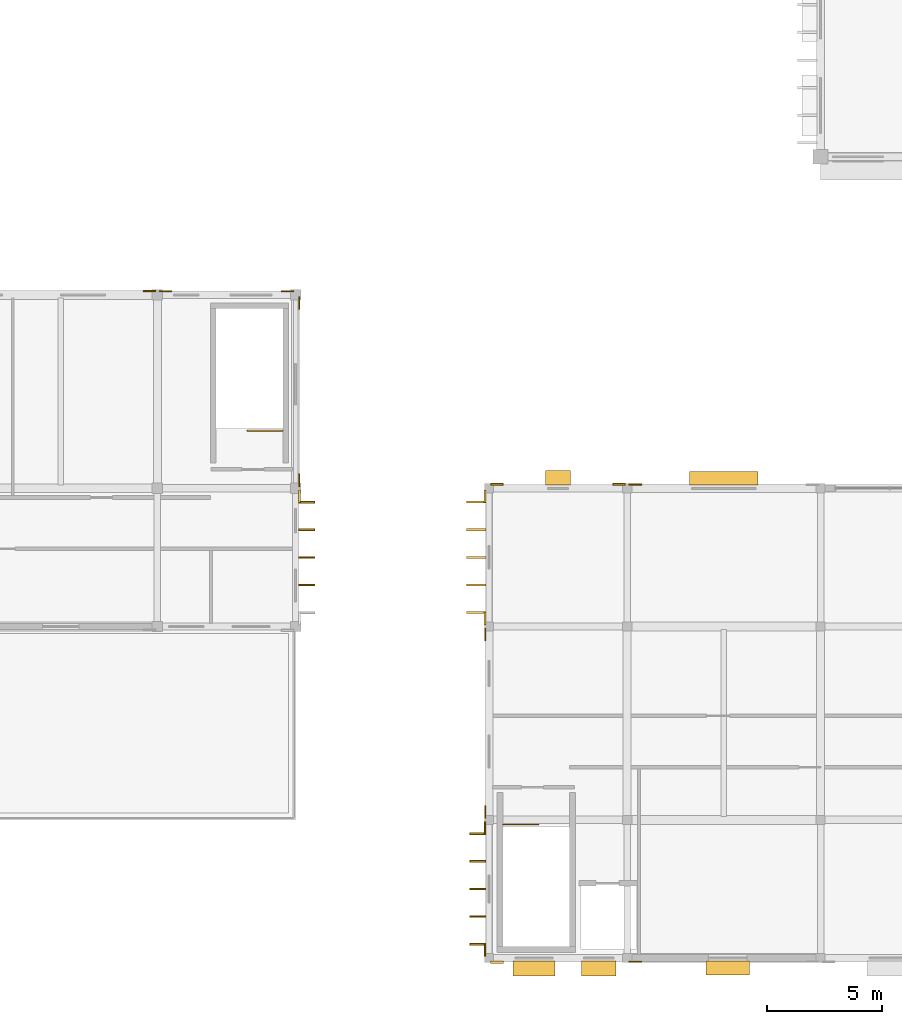
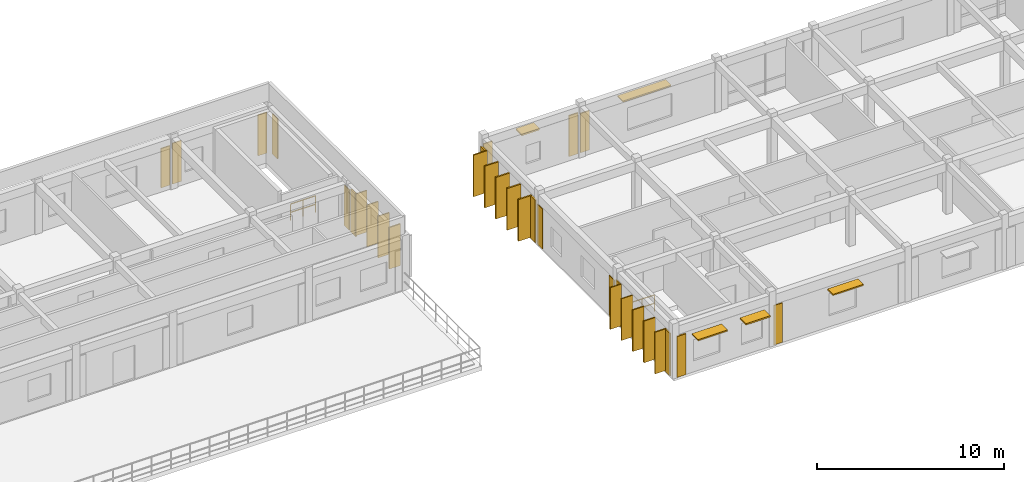
# One storey, part 75 of 88: 19 shading devices, 17 coverings, 2 railings.
"""IFC4 building model written with IfcOpenShell, lengths in metres."""

from ifc_helpers import new_model, si_unit, direction, frame, origin, origin_2d, place, context, subcontext, project, spatial, rectangle, extrude, material, layer, layer_set, type_object, element, save


model = new_model("IFC4")

# Units and contexts
model_context = context("Model", 3, precision=1e-05, world=origin(), true_north=direction((0.0, 1.0)))
body_context = subcontext(model_context, "Body", "Model", "MODEL_VIEW")
ifc_project = project(units=[si_unit("LENGTHUNIT", "METRE"), si_unit("AREAUNIT", "SQUARE_METRE"), si_unit("VOLUMEUNIT", "CUBIC_METRE"), si_unit("PLANEANGLEUNIT", "RADIAN"), si_unit("MASSUNIT", "GRAM", prefix="KILO"), si_unit("THERMODYNAMICTEMPERATUREUNIT", "KELVIN")], contexts=[model_context])

# Site, building, storey
site_placement = place(None, origin())
site = spatial("IfcSite", under=ifc_project, at=site_placement, CompositionType="ELEMENT")
building_placement = place(site_placement, origin())
building = spatial("IfcBuilding", under=site, at=building_placement, Name="Thalorik Housing Commons", CompositionType="ELEMENT")
storey_placement = place(building_placement, frame((0.0, 0.0, 4.5)))
storey = spatial("IfcBuildingStorey", under=building, at=storey_placement, Name="L01", CompositionType="ELEMENT", Elevation=4.5)

# Coverings
ifc_material_1 = material(Name="Cobalt blue glazed ceramic facade tile panel", Category="masonry")
ifc_layer_1 = layer(ifc_material_1, 0.06005859375, Name="Cobalt blue glazed ceramic facade tile panel", Category="masonry")
ifc_layer_set_1 = layer_set([ifc_layer_1], Name="Cobalt blue glazed ceramic facade tile panel")
covering_type_1 = type_object("IfcCoveringType", Name="ARC-CLD-BLU-60", PredefinedType="CLADDING", material=ifc_layer_set_1)
for number, where, z_axis, x_axis, name in (
    (1, (123.43310546875, 14.050048828125, 0.050048828125), (0.0, 0.0, 1.0), (0.0, -1.0, 0.0), "L01 Architectural Facade Cladding 5251"),
    (2, (123.43310546875, 8.75, 0.050048828125), (0.0, 0.0, 1.0), (0.0, -1.0, 0.0), "L01 Architectural Facade Cladding 5252"),
):
    element("IfcCovering", number, at=place(storey_placement, frame(where, z_axis=z_axis, x_axis=x_axis)), inside=storey, type_object=covering_type_1, Name=name, PredefinedType="CLADDING", context=body_context, shape_type="SweptSolid", body=[
        extrude(rectangle(XDim=0.550048828125, YDim=0.06005859375, at=origin_2d()), origin(), (0.0, 0.0, 1.0), 2.77490234375),
    ])
for number, where, z_axis, x_axis, name in (
    (3, (114.85009765625, 37.359619140625, 0.0498046875), (0.0, 0.0, 1.0), (-1.0, 0.0, 0.0), "L01 Architectural Facade Cladding 5301"),
    (4, (109.550048828125, 37.359619140625, 0.0498046875), (0.0, 0.0, 1.0), (-1.0, 0.0, 0.0), "L01 Architectural Facade Cladding 5302"),
):
    element("IfcCovering", number, at=place(storey_placement, frame(where, z_axis=z_axis, x_axis=x_axis)), inside=storey, type_object=covering_type_1, Name=name, PredefinedType="CLADDING", context=body_context, shape_type="SweptSolid", body=[
        extrude(rectangle(XDim=0.550048828125, YDim=0.06005859375, at=origin_2d()), origin(), (0.0, 0.0, 1.0), 2.675048828125),
    ])
ifc_material_2 = material(Name="Precast concrete C40/50", Category="concrete")
ifc_layer_2 = layer(ifc_material_2, 0.074951171875, Name="Precast concrete C40/50", Category="concrete")
ifc_layer_set_2 = layer_set([ifc_layer_2], Name="Precast concrete C40/50")
covering_type_2 = type_object("IfcCoveringType", Name="ARC-CLD-PIER-75", PredefinedType="CLADDING", material=ifc_layer_set_2)
for number, where, z_axis, x_axis, name in (
    (5, (129.25, 28.974609375, 0.0498046875), (0.0, 0.0, 1.0), (-1.0, 0.0, 0.0), "L01 Architectural Facade Cladding 5245"),
    (6, (123.949951171875, 28.974609375, 0.0498046875), (0.0, 0.0, 1.0), (-1.0, 0.0, 0.0), "L01 Architectural Facade Cladding 5246"),
):
    element("IfcCovering", number, at=place(storey_placement, frame(where, z_axis=z_axis, x_axis=x_axis)), inside=storey, type_object=covering_type_2, Name=name, PredefinedType="CLADDING", context=body_context, shape_type="SweptSolid", body=[
        extrude(rectangle(XDim=0.550048828125, YDim=0.074951171875, at=origin_2d()), origin(), (0.0, 0.0, 1.0), 2.675048828125),
    ])
ifc_layer_3 = layer(ifc_material_2, 0.090087890625, Name="Precast concrete C40/50", Category="concrete")
ifc_layer_set_3 = layer_set([ifc_layer_3], Name="Precast concrete C40/50")
covering_type_3 = type_object("IfcCoveringType", Name="ARC-CLD-PIER-90", PredefinedType="CLADDING", material=ifc_layer_set_3)
covering_1_placement = place(storey_placement, frame((123.949951171875, 8.218017578125, 0.0498046875), z_axis=(0.0, 0.0, 1.0), x_axis=(1.0, 0.0, 0.0)))
element("IfcCovering", 7, at=covering_1_placement, inside=storey, type_object=covering_type_3, Name="L01 Architectural Facade Cladding 5223", PredefinedType="CLADDING", context=body_context, shape_type="SweptSolid", body=[
    extrude(rectangle(XDim=0.550048828125, YDim=0.090087890625, at=origin_2d()), origin(), (0.0, 0.0, 1.0), 2.675048828125),
])
for number, where, z_axis, x_axis, name in (
    (8, (123.41796875, 28.449951171875, 0.050048828125), (0.0, 0.0, 1.0), (0.0, -1.0, 0.0), "L01 Architectural Facade Cladding 5247"),
    (9, (123.41796875, 23.14990234375, 0.050048828125), (0.0, 0.0, 1.0), (0.0, -1.0, 0.0), "L01 Architectural Facade Cladding 5248"),
    (10, (115.37451171875, 28.449951171875, 0.050048828125), (0.0, 0.0, 1.0), (0.0, 1.0, 0.0), "L01 Architectural Facade Cladding 5298"),
):
    element("IfcCovering", number, at=place(storey_placement, frame(where, z_axis=z_axis, x_axis=x_axis)), inside=storey, type_object=covering_type_3, Name=name, PredefinedType="CLADDING", context=body_context, shape_type="SweptSolid", body=[
        extrude(rectangle(XDim=0.550048828125, YDim=0.090087890625, at=origin_2d()), origin(), (0.0, 0.0, 1.0), 2.77490234375),
    ])
ifc_material_3 = material(Name="Terracotta red mineral fibre-cement panel", Category="masonry")
ifc_layer_4 = layer(ifc_material_3, 0.054931640625, Name="Terracotta red mineral fibre-cement panel", Category="masonry")
ifc_layer_set_4 = layer_set([ifc_layer_4], Name="Terracotta red mineral fibre-cement panel")
covering_type_4 = type_object("IfcCoveringType", Name="ARC-CLD-RED-55", PredefinedType="CLADDING", material=ifc_layer_set_4)
covering_2_placement = place(storey_placement, frame((129.949951171875, 8.235595703125, 0.0498046875), z_axis=(0.0, 0.0, 1.0), x_axis=(1.0, 0.0, 0.0)))
element("IfcCovering", 11, at=covering_2_placement, inside=storey, type_object=covering_type_4, Name="L01 Architectural Facade Cladding 5224", PredefinedType="CLADDING", context=body_context, shape_type="SweptSolid", body=[
    extrude(rectangle(XDim=0.550048828125, YDim=0.054931640625, at=origin_2d()), origin(), (0.0, 0.0, 1.0), 2.574951171875),
])
for number, where, z_axis, x_axis, name in (
    (12, (123.435546875, 22.449951171875, 0.050048828125), (0.0, 0.0, 1.0), (0.0, -1.0, 0.0), "L01 Architectural Facade Cladding 5249"),
    (13, (123.435546875, 14.75, 0.050048828125), (0.0, 0.0, 1.0), (0.0, -1.0, 0.0), "L01 Architectural Facade Cladding 5250"),
    (14, (115.35693359375, 29.14990234375, 0.050048828125), (0.0, 0.0, 1.0), (0.0, 1.0, 0.0), "L01 Architectural Facade Cladding 5299"),
    (15, (115.35693359375, 36.85009765625, 0.050048828125), (0.0, 0.0, 1.0), (0.0, 1.0, 0.0), "L01 Architectural Facade Cladding 5300"),
):
    element("IfcCovering", number, at=place(storey_placement, frame(where, z_axis=z_axis, x_axis=x_axis)), inside=storey, type_object=covering_type_4, Name=name, PredefinedType="CLADDING", context=body_context, shape_type="SweptSolid", body=[
        extrude(rectangle(XDim=0.550048828125, YDim=0.054931640625, at=origin_2d()), origin(), (0.0, 0.0, 1.0), 2.625),
    ])
ifc_material_4 = material(Name="Mineral ochre architectural terracotta panel", Category="masonry")
ifc_layer_5 = layer(ifc_material_4, 0.06494140625, Name="Mineral ochre architectural terracotta panel", Category="masonry")
ifc_layer_set_5 = layer_set([ifc_layer_5], Name="Mineral ochre architectural terracotta panel")
covering_type_5 = type_object("IfcCoveringType", Name="ARC-CLD-YEL-65", PredefinedType="CLADDING", material=ifc_layer_set_5)
for number, where, z_axis, x_axis, name in (
    (16, (129.949951171875, 28.969482421875, 0.0498046875), (0.0, 0.0, 1.0), (-1.0, 0.0, 0.0), "L01 Architectural Facade Cladding 5244"),
    (17, (108.85009765625, 37.362060546875, 0.0498046875), (0.0, 0.0, 1.0), (-1.0, 0.0, 0.0), "L01 Architectural Facade Cladding 5303"),
):
    element("IfcCovering", number, at=place(storey_placement, frame(where, z_axis=z_axis, x_axis=x_axis)), inside=storey, type_object=covering_type_5, Name=name, PredefinedType="CLADDING", context=body_context, shape_type="SweptSolid", body=[
        extrude(rectangle(XDim=0.550048828125, YDim=0.06494140625, at=origin_2d()), origin(), (0.0, 0.0, 1.0), 2.574951171875),
    ])

# Shading devices
shading_device_type_1 = type_object("IfcShadingDeviceType", Name="ARC-FIN-PC-850A", PredefinedType="USERDEFINED", material=ifc_material_2)
for number, where, z_axis, x_axis, name in (
    (18, (123.0400390625, 28.199951171875, 0.119873046875), (0.0, 0.0, 1.0), (0.0, -1.0, 0.0), "L01 Vertical Precast Solar Fin 148"),
    (19, (123.0400390625, 27.0, 0.119873046875), (0.0, 0.0, 1.0), (0.0, -1.0, 0.0), "L01 Vertical Precast Solar Fin 149"),
    (20, (123.0400390625, 25.800048828125, 0.119873046875), (0.0, 0.0, 1.0), (0.0, -1.0, 0.0), "L01 Vertical Precast Solar Fin 150"),
    (21, (123.0400390625, 24.60009765625, 0.119873046875), (0.0, 0.0, 1.0), (0.0, -1.0, 0.0), "L01 Vertical Precast Solar Fin 151"),
    (22, (123.0400390625, 23.39990234375, 0.119873046875), (0.0, 0.0, 1.0), (0.0, -1.0, 0.0), "L01 Vertical Precast Solar Fin 152"),
):
    element("IfcShadingDevice", number, at=place(storey_placement, frame(where, z_axis=z_axis, x_axis=x_axis)), inside=storey, type_object=shading_device_type_1, Name=name, ObjectType="FIN", PredefinedType="USERDEFINED", context=body_context, shape_type="SweptSolid", body=[
        extrude(rectangle(XDim=0.090087890625, YDim=0.85009765625, at=origin_2d()), origin(), (0.0, 0.0, 1.0), 2.72509765625),
    ])
ifc_material_5 = material(Name="Oxide red precast concrete C40/50", Category="concrete")
shading_device_type_2 = type_object("IfcShadingDeviceType", Name="ARC-FIN-RED-700", PredefinedType="USERDEFINED", material=ifc_material_5)
for number, where, z_axis, x_axis, name in (
    (23, (123.114990234375, 13.800048828125, 0.119873046875), (0.0, 0.0, 1.0), (0.0, -1.0, 0.0), "L01 Vertical Precast Solar Fin 153"),
    (24, (123.114990234375, 12.60009765625, 0.119873046875), (0.0, 0.0, 1.0), (0.0, -1.0, 0.0), "L01 Vertical Precast Solar Fin 154"),
    (25, (123.114990234375, 11.39990234375, 0.119873046875), (0.0, 0.0, 1.0), (0.0, -1.0, 0.0), "L01 Vertical Precast Solar Fin 155"),
    (26, (123.114990234375, 10.199951171875, 0.119873046875), (0.0, 0.0, 1.0), (0.0, -1.0, 0.0), "L01 Vertical Precast Solar Fin 156"),
    (27, (123.114990234375, 9.0, 0.119873046875), (0.0, 0.0, 1.0), (0.0, -1.0, 0.0), "L01 Vertical Precast Solar Fin 157"),
    (28, (115.677490234375, 24.60009765625, 0.119873046875), (0.0, 0.0, 1.0), (0.0, 1.0, 0.0), "L01 Vertical Precast Solar Fin 190"),
    (29, (115.677490234375, 25.800048828125, 0.119873046875), (0.0, 0.0, 1.0), (0.0, 1.0, 0.0), "L01 Vertical Precast Solar Fin 191"),
    (30, (115.677490234375, 27.0, 0.119873046875), (0.0, 0.0, 1.0), (0.0, 1.0, 0.0), "L01 Vertical Precast Solar Fin 192"),
    (31, (115.677490234375, 28.199951171875, 0.119873046875), (0.0, 0.0, 1.0), (0.0, 1.0, 0.0), "L01 Vertical Precast Solar Fin 193"),
):
    element("IfcShadingDevice", number, at=place(storey_placement, frame(where, z_axis=z_axis, x_axis=x_axis)), inside=storey, type_object=shading_device_type_2, Name=name, ObjectType="FIN", PredefinedType="USERDEFINED", context=body_context, shape_type="SweptSolid", body=[
        extrude(rectangle(XDim=0.074951171875, YDim=0.699951171875, at=origin_2d()), origin(), (0.0, 0.0, 1.0), 2.72509765625),
    ])
ifc_material_6 = material(Name="Anodised aluminium sun-louvre blade", Category="aluminium")
shading_device_type_3 = type_object("IfcShadingDeviceType", Name="ARC-LVR-ALU-600", PredefinedType="JALOUSIE", material=ifc_material_6)
shading_device_1_placement = place(storey_placement, frame((133.965087890625, 7.965087890625, 2.43994140625), z_axis=(0.0, 0.0, 1.0), x_axis=(1.0, 0.0, 0.0)))
element("IfcShadingDevice", 32, at=shading_device_1_placement, inside=storey, type_object=shading_device_type_3, Name="L01 Horizontal Sun-Louvre 127", PredefinedType="JALOUSIE", context=body_context, shape_type="SweptSolid", body=[
    extrude(rectangle(XDim=1.8798828125, YDim=0.60009765625, at=origin_2d()), origin(), (0.0, 0.0, 1.0), 0.080078125),
])
shading_device_2_placement = place(storey_placement, frame((133.800048828125, 29.235107421875, 2.43994140625), z_axis=(0.0, 0.0, 1.0), x_axis=(-1.0, 0.0, 0.0)))
element("IfcShadingDevice", 33, at=shading_device_2_placement, inside=storey, type_object=shading_device_type_3, Name="L01 Horizontal Sun-Louvre 146", PredefinedType="JALOUSIE", context=body_context, shape_type="SweptSolid", body=[
    extrude(rectangle(XDim=2.97998046875, YDim=0.60009765625, at=origin_2d()), origin(), (0.0, 0.0, 1.0), 0.080078125),
])
ifc_material_7 = material(Name="Mineral ochre aluminium sun-louvre", Category="aluminium")
shading_device_type_4 = type_object("IfcShadingDeviceType", Name="ARC-LVR-OCH-650", PredefinedType="JALOUSIE", material=ifc_material_7)
shading_device_3_placement = place(storey_placement, frame((125.554931640625, 7.93994140625, 2.43505859375), z_axis=(0.0, 0.0, 1.0), x_axis=(1.0, 0.0, 0.0)))
element("IfcShadingDevice", 34, at=shading_device_3_placement, inside=storey, type_object=shading_device_type_4, Name="L01 Horizontal Sun-Louvre 125", PredefinedType="JALOUSIE", context=body_context, shape_type="SweptSolid", body=[
    extrude(rectangle(XDim=1.820068359375, YDim=0.64990234375, at=origin_2d()), origin(), (0.0, 0.0, 1.0), 0.090087890625),
])
shading_device_4_placement = place(storey_placement, frame((128.364990234375, 7.93994140625, 2.43505859375), z_axis=(0.0, 0.0, 1.0), x_axis=(1.0, 0.0, 0.0)))
element("IfcShadingDevice", 35, at=shading_device_4_placement, inside=storey, type_object=shading_device_type_4, Name="L01 Horizontal Sun-Louvre 126", PredefinedType="JALOUSIE", context=body_context, shape_type="SweptSolid", body=[
    extrude(rectangle(XDim=1.5, YDim=0.64990234375, at=origin_2d()), origin(), (0.0, 0.0, 1.0), 0.090087890625),
])
shading_device_5_placement = place(storey_placement, frame((126.60009765625, 29.260009765625, 2.43505859375), z_axis=(0.0, 0.0, 1.0), x_axis=(-1.0, 0.0, 0.0)))
element("IfcShadingDevice", 36, at=shading_device_5_placement, inside=storey, type_object=shading_device_type_4, Name="L01 Horizontal Sun-Louvre 147", PredefinedType="JALOUSIE", context=body_context, shape_type="SweptSolid", body=[
    extrude(rectangle(XDim=1.10009765625, YDim=0.64990234375, at=origin_2d()), origin(), (0.0, 0.0, 1.0), 0.090087890625),
])

# Railings
ifc_material_8 = material(Name="Steel S355", Category="steel")
railing_type = type_object("IfcRailingType", Name="ARC-RL-STR-GRD110", PredefinedType="GUARDRAIL", material=ifc_material_8)
railing_1_placement = place(storey_placement, frame((124.199951171875, 14.199951171875, 0.0)))
element("IfcRailing", 37, at=railing_1_placement, inside=storey, type_object=railing_type, Name="L01 ST-N1 top well guard 1", PredefinedType="GUARDRAIL", context=body_context, shape_type="SweptSolid", body=[
    extrude(rectangle(XDim=0.048095703125, YDim=0.048095703125, at=origin_2d()), frame((0.0, 0.0, 1.076171875), z_axis=(1.0, 0.0, 0.0), x_axis=(0.0, 1.0, 0.0)), (0.0, 0.0, 1.0), 1.550048828125),
    extrude(rectangle(XDim=0.048095703125, YDim=0.048095703125, at=origin_2d()), frame((0.0, 0.0, 0.52587890625), z_axis=(1.0, 0.0, 0.0), x_axis=(0.0, 1.0, 0.0)), (0.0, 0.0, 1.0), 1.550048828125),
    extrude(rectangle(XDim=0.0419921875, YDim=0.0419921875, at=origin_2d()), origin(), (0.0, 0.0, 1.0), 1.052001953125),
    extrude(rectangle(XDim=0.0419921875, YDim=0.0419921875, at=origin_2d()), frame((0.77490234375, 0.0, 0.0)), (0.0, 0.0, 1.0), 1.052001953125),
    extrude(rectangle(XDim=0.0419921875, YDim=0.0419921875, at=origin_2d()), frame((1.550048828125, 0.0, 0.0)), (0.0, 0.0, 1.0), 1.052001953125),
])
railing_2_placement = place(storey_placement, frame((114.64990234375, 31.300048828125, 0.0)))
element("IfcRailing", 38, at=railing_2_placement, inside=storey, type_object=railing_type, Name="L01 ST-S2 top well guard 1", PredefinedType="GUARDRAIL", context=body_context, shape_type="SweptSolid", body=[
    extrude(rectangle(XDim=0.048095703125, YDim=0.048095703125, at=origin_2d()), frame((0.0, 0.0, 1.076171875), z_axis=(-1.0, 0.0, 0.0), x_axis=(0.0, -1.0, 0.0)), (0.0, 0.0, 1.0), 1.5498046875),
    extrude(rectangle(XDim=0.048095703125, YDim=0.048095703125, at=origin_2d()), frame((0.0, 0.0, 0.52587890625), z_axis=(-1.0, 0.0, 0.0), x_axis=(0.0, -1.0, 0.0)), (0.0, 0.0, 1.0), 1.5498046875),
    extrude(rectangle(XDim=0.0419921875, YDim=0.0419921875, at=origin_2d()), origin(), (0.0, 0.0, 1.0), 1.052001953125),
    extrude(rectangle(XDim=0.0419921875, YDim=0.0419921875, at=origin_2d()), frame((-0.77490234375, 0.0, 0.0)), (0.0, 0.0, 1.0), 1.052001953125),
    extrude(rectangle(XDim=0.0419921875, YDim=0.0419921875, at=origin_2d()), frame((-1.5498046875, 0.0, 0.0)), (0.0, 0.0, 1.0), 1.052001953125),
])

save(model, "model.ifc")
